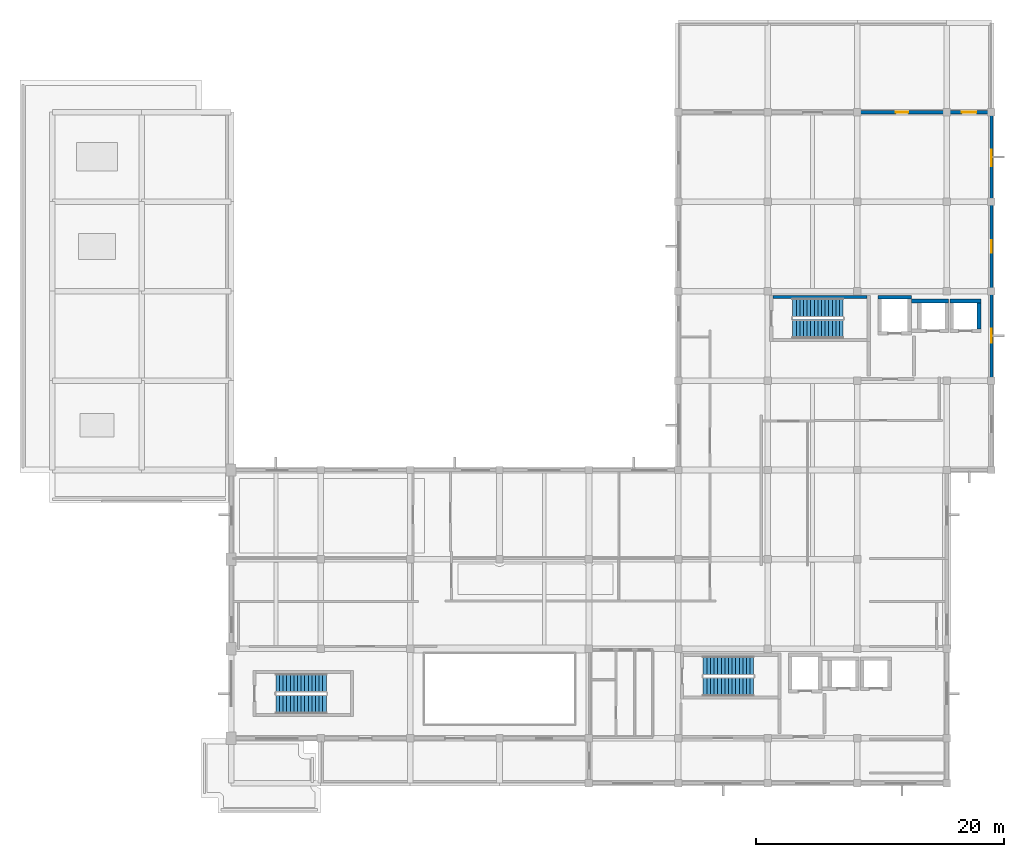
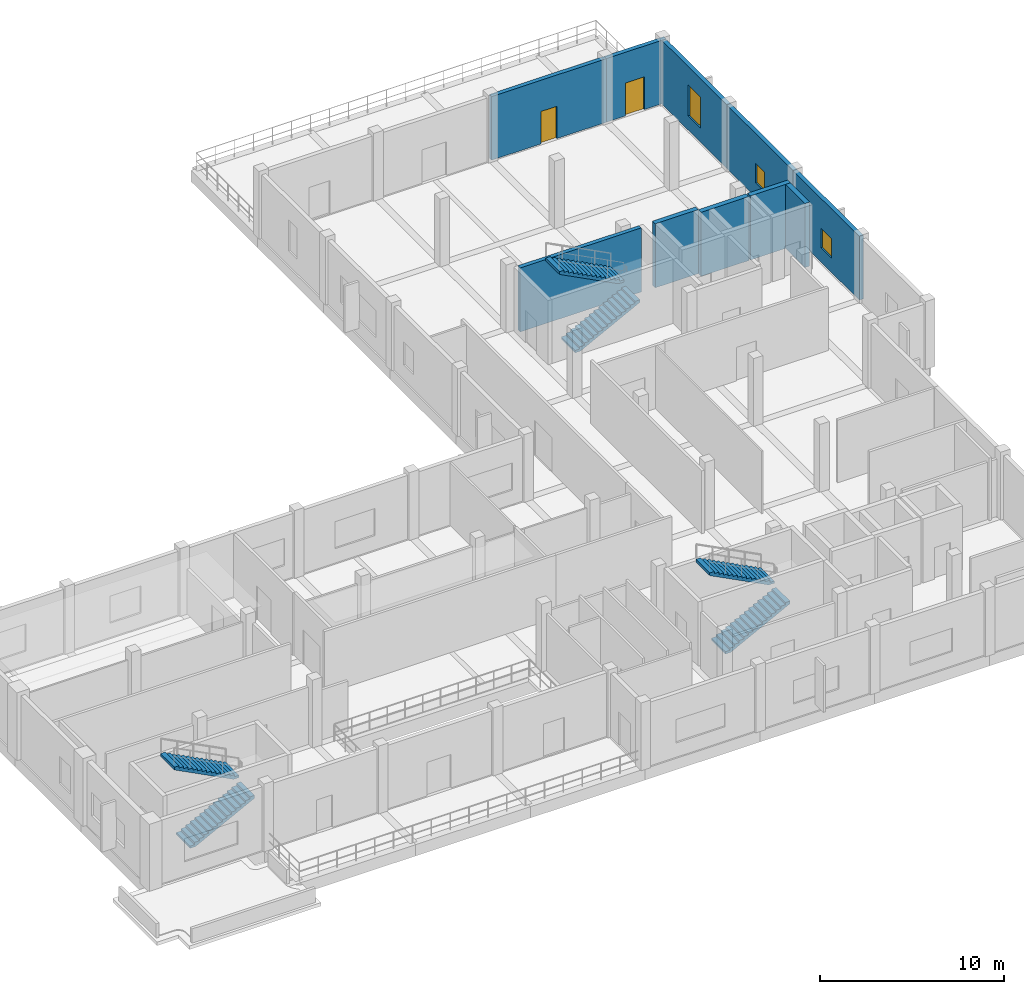
# One storey, part 8 of 14: 10 walls, 6 stair flights, 3 windows, 2 doors, 5 openings, 3 elements without a shape of their own.
"""IFC4 building model written with IfcOpenShell, lengths in metres."""

from ifc_helpers import new_model, si_unit, direction, frame, frame_2d, origin, place, context, subcontext, project, spatial, polyline, rectangle, outline, extrude, material, layer, layer_set, type_object, element, fill, aggregate, save


model = new_model("IFC4")

# Units and contexts
model_context = context("Model", 3, precision=1e-05, world=origin(), true_north=direction((0.0, 1.0)))
body_context = subcontext(model_context, "Body", "Model", "MODEL_VIEW")
ifc_project = project(units=[si_unit("LENGTHUNIT", "METRE"), si_unit("AREAUNIT", "SQUARE_METRE"), si_unit("VOLUMEUNIT", "CUBIC_METRE"), si_unit("PLANEANGLEUNIT", "RADIAN"), si_unit("MASSUNIT", "GRAM", prefix="KILO")], contexts=[model_context])

# Site, building, storey
site_placement = place(None, origin())
site = spatial("IfcSite", under=ifc_project, at=site_placement, CompositionType="ELEMENT")
building_placement = place(site_placement, origin())
building = spatial("IfcBuilding", under=site, at=building_placement, Name="Seraya Terrace Polytechnic", CompositionType="ELEMENT")
storey_placement = place(building_placement, frame((0.0, 0.0, 27.89990234375)))
storey = spatial("IfcBuildingStorey", under=building, at=storey_placement, Name="L06", CompositionType="ELEMENT", Elevation=27.89990234375)

# Wall, opening, door
ifc_material_1 = material(Name="Precast concrete C40/50", Category="concrete")
ifc_layer_1 = layer(ifc_material_1, 0.260009765625, Name="EW-03")
ifc_layer_set_1 = layer_set([ifc_layer_1], Name="Precast concrete C40/50")
wall_type_1 = type_object("IfcWallType", Name="EW-03", PredefinedType="SOLIDWALL", material=ifc_layer_set_1)
wall_1_placement = place(storey_placement, frame((93.60009765625, 57.60009765625, 0.0), z_axis=(0.0, 0.0, 1.0), x_axis=(1.0, 0.0, 0.0)))
wall_1 = element("IfcWall", 1, at=wall_1_placement, inside=storey, type_object=wall_type_1, Name="Exterior structural wall EW-03 L06", PredefinedType="SOLIDWALL", context=body_context, shape_type="SweptSolid", body=[
    extrude(rectangle(XDim=7.199951171875, YDim=0.260009765625, at=frame_2d((3.60009765625, 0.0))), origin(), (0.0, 0.0, 1.0), 4.22021484375),
])
opening_1_placement = place(wall_1_placement, frame((3.10009765625, 0.0, 0.0)))
opening_1 = element("IfcOpeningElement", 2, at=opening_1_placement, cuts=wall_1, Name="Opening TD-01", PredefinedType="OPENING", context=body_context, shape_type="SweptSolid", body=[
    extrude(rectangle(XDim=1.0, YDim=2.14990234375, at=frame_2d((0.5, 1.074951171875))), frame((0.0, 0.14208984375, 0.0), z_axis=(0.0, -1.0, 0.0), x_axis=(1.0, 0.0, 0.0)), (0.0, 0.0, 1.0), 0.283935546875),
])
ifc_material_2 = material(Name="Anodised aluminium EN AW-6063 T6", Category="aluminium")
door_type_1 = type_object("IfcDoorType", Name="TD-01", OperationType="NOTDEFINED", PredefinedType="DOOR", material=ifc_material_2)
door_1_placement = place(opening_1_placement, origin())
door_1 = element("IfcDoor", 3, at=door_1_placement, inside=storey, type_object=door_type_1, Name="Door TD-01 DR-TERR-L06-06-02 in WL-EXT-L06-06-02", OperationType="SINGLE_SWING_LEFT", OverallHeight=2.14990234375, OverallWidth=1.0, PredefinedType="DOOR", context=body_context, shape_type="SweptSolid", body=[
    extrude(rectangle(XDim=1.0, YDim=2.14990234375, at=frame_2d((0.5, 1.074951171875))), frame((0.0, 0.02490234375, 0.0), z_axis=(0.0, -1.0, 0.0), x_axis=(1.0, 0.0, 0.0)), (0.0, 0.0, 1.0), 0.050048828125),
])
fill(opening_1, door_1)

wall_2_placement = place(storey_placement, frame((100.800048828125, 57.60009765625, 0.0), z_axis=(0.0, 0.0, 1.0), x_axis=(1.0, 0.0, 0.0)))
wall_2 = element("IfcWall", 4, at=wall_2_placement, inside=storey, type_object=wall_type_1, Name="Exterior structural wall EW-03 L06", PredefinedType="SOLIDWALL", context=body_context, shape_type="SweptSolid", body=[
    extrude(rectangle(XDim=3.75, YDim=0.260009765625, at=frame_2d((1.875, 0.0))), origin(), (0.0, 0.0, 1.0), 4.22021484375),
])
opening_2_placement = place(wall_2_placement, frame((1.2099609375, 0.0, 0.0)))
opening_2 = element("IfcOpeningElement", 5, at=opening_2_placement, cuts=wall_2, Name="Opening TD-02", PredefinedType="OPENING", context=body_context, shape_type="SweptSolid", body=[
    extrude(rectangle(XDim=1.179931640625, YDim=2.179931640625, at=frame_2d((0.58984375, 1.08984375))), frame((0.0, 0.14208984375, 0.0), z_axis=(0.0, -1.0, 0.0), x_axis=(1.0, 0.0, 0.0)), (0.0, 0.0, 1.0), 0.283935546875),
])
door_type_2 = type_object("IfcDoorType", Name="TD-02", OperationType="NOTDEFINED", PredefinedType="DOOR", material=ifc_material_2)
door_2_placement = place(opening_2_placement, origin())
door_2 = element("IfcDoor", 6, at=door_2_placement, inside=storey, type_object=door_type_2, Name="Door TD-02 DR-TERR-L06-06-03 in WL-EXT-L06-06-03", OperationType="SINGLE_SWING_RIGHT", OverallHeight=2.179931640625, OverallWidth=1.179931640625, PredefinedType="DOOR", context=body_context, shape_type="SweptSolid", body=[
    extrude(rectangle(XDim=1.179931640625, YDim=2.179931640625, at=frame_2d((0.58984375, 1.08984375))), frame((0.0, 0.02490234375, 0.0), z_axis=(0.0, -1.0, 0.0), x_axis=(1.0, 0.0, 0.0)), (0.0, 0.0, 1.0), 0.050048828125),
])
fill(opening_2, door_2)

# Wall, opening, window
wall_3_placement = place(storey_placement, frame((104.39990234375, 57.447998046875, 0.0), z_axis=(0.0, 0.0, 1.0), x_axis=(0.0, -1.0, 0.0)))
wall_3 = element("IfcWall", 7, at=wall_3_placement, inside=storey, type_object=wall_type_1, Name="Exterior structural wall EW-03 L06", PredefinedType="SOLIDWALL", context=body_context, shape_type="SweptSolid", body=[
    extrude(rectangle(XDim=7.048095703125, YDim=0.260009765625, at=frame_2d((3.52392578125, 0.0))), origin(), (0.0, 0.0, 1.0), 4.22021484375),
])
opening_3_placement = place(wall_3_placement, frame((2.84912109375, 0.0, 0.949951171875)))
opening_3 = element("IfcOpeningElement", 8, at=opening_3_placement, cuts=wall_3, Name="Opening WN-38", PredefinedType="OPENING", context=body_context, shape_type="SweptSolid", body=[
    extrude(rectangle(XDim=1.35009765625, YDim=2.050048828125, at=frame_2d((0.675048828125, 1.02490234375))), frame((0.0, 0.14208984375, 0.0), z_axis=(0.0, -1.0, 0.0), x_axis=(1.0, 0.0, 0.0)), (0.0, 0.0, 1.0), 0.283935546875),
])
ifc_material_3 = material(Name="Laminated solar-control Low-E double glazing", Category="glass")
window_type_1 = type_object("IfcWindowType", Name="WN-38", PartitioningType="SINGLE_PANEL", PredefinedType="WINDOW", material=ifc_material_3)
window_1_placement = place(opening_3_placement, origin())
window_1 = element("IfcWindow", 9, at=window_1_placement, inside=storey, type_object=window_type_1, Name="Exterior window WN-38 L06", OverallHeight=2.050048828125, OverallWidth=1.35009765625, PartitioningType="SINGLE_PANEL", PredefinedType="WINDOW", context=body_context, shape_type="SweptSolid", body=[
    extrude(rectangle(XDim=1.35009765625, YDim=2.050048828125, at=frame_2d((0.675048828125, 1.02490234375))), frame((0.0, 0.030029296875, 0.0), z_axis=(0.0, -1.0, 0.0), x_axis=(1.0, 0.0, 0.0)), (0.0, 0.0, 1.0), 0.06005859375),
])
fill(opening_3, window_1)

wall_4_placement = place(storey_placement, frame((104.39990234375, 50.39990234375, 0.0), z_axis=(0.0, 0.0, 1.0), x_axis=(0.0, -1.0, 0.0)))
wall_4 = element("IfcWall", 10, at=wall_4_placement, inside=storey, type_object=wall_type_1, Name="Exterior structural wall EW-03 L06", PredefinedType="SOLIDWALL", context=body_context, shape_type="SweptSolid", body=[
    extrude(rectangle(XDim=7.199951171875, YDim=0.260009765625, at=frame_2d((3.60009765625, 0.0))), origin(), (0.0, 0.0, 1.0), 4.22021484375),
])
opening_4_placement = place(wall_4_placement, frame((3.10009765625, 0.0, 0.949951171875)))
opening_4 = element("IfcOpeningElement", 11, at=opening_4_placement, cuts=wall_4, Name="Opening WN-01", PredefinedType="OPENING", context=body_context, shape_type="SweptSolid", body=[
    extrude(rectangle(XDim=1.0, YDim=1.300048828125, at=frame_2d((0.5, 0.64990234375))), frame((0.0, 0.14208984375, 0.0), z_axis=(0.0, -1.0, 0.0), x_axis=(1.0, 0.0, 0.0)), (0.0, 0.0, 1.0), 0.283935546875),
])
window_type_2 = type_object("IfcWindowType", Name="WN-01", PartitioningType="SINGLE_PANEL", PredefinedType="WINDOW", material=ifc_material_3)
window_2_placement = place(opening_4_placement, origin())
window_2 = element("IfcWindow", 12, at=window_2_placement, inside=storey, type_object=window_type_2, Name="Exterior window WN-01 L06", OverallHeight=1.300048828125, OverallWidth=1.0, PartitioningType="SINGLE_PANEL", PredefinedType="WINDOW", context=body_context, shape_type="SweptSolid", body=[
    extrude(rectangle(XDim=1.0, YDim=1.300048828125, at=frame_2d((0.5, 0.64990234375))), frame((0.0, 0.030029296875, 0.0), z_axis=(0.0, -1.0, 0.0), x_axis=(1.0, 0.0, 0.0)), (0.0, 0.0, 1.0), 0.06005859375),
])
fill(opening_4, window_2)

wall_5_placement = place(storey_placement, frame((104.39990234375, 43.199951171875, 0.0), z_axis=(0.0, 0.0, 1.0), x_axis=(0.0, -1.0, 0.0)))
wall_5 = element("IfcWall", 13, at=wall_5_placement, inside=storey, type_object=wall_type_1, Name="Exterior structural wall EW-03 L06", PredefinedType="SOLIDWALL", context=body_context, shape_type="SweptSolid", body=[
    extrude(rectangle(XDim=7.199951171875, YDim=0.260009765625, at=frame_2d((3.60009765625, 0.0))), origin(), (0.0, 0.0, 1.0), 4.22021484375),
])
opening_5_placement = place(wall_5_placement, frame((3.02490234375, 0.0, 0.949951171875)))
opening_5 = element("IfcOpeningElement", 14, at=opening_5_placement, cuts=wall_5, Name="Opening WN-02", PredefinedType="OPENING", context=body_context, shape_type="SweptSolid", body=[
    extrude(rectangle(XDim=1.14990234375, YDim=1.300048828125, at=frame_2d((0.574951171875, 0.64990234375))), frame((0.0, 0.14208984375, 0.0), z_axis=(0.0, -1.0, 0.0), x_axis=(1.0, 0.0, 0.0)), (0.0, 0.0, 1.0), 0.283935546875),
])
window_type_3 = type_object("IfcWindowType", Name="WN-02", PartitioningType="SINGLE_PANEL", PredefinedType="WINDOW", material=ifc_material_3)
window_3_placement = place(opening_5_placement, origin())
window_3 = element("IfcWindow", 15, at=window_3_placement, inside=storey, type_object=window_type_3, Name="Exterior window WN-02 L06", OverallHeight=1.300048828125, OverallWidth=1.14990234375, PartitioningType="SINGLE_PANEL", PredefinedType="WINDOW", context=body_context, shape_type="SweptSolid", body=[
    extrude(rectangle(XDim=1.14990234375, YDim=1.300048828125, at=frame_2d((0.574951171875, 0.64990234375))), frame((0.0, 0.030029296875, 0.0), z_axis=(0.0, -1.0, 0.0), x_axis=(1.0, 0.0, 0.0)), (0.0, 0.0, 1.0), 0.06005859375),
])
fill(opening_5, window_3)

# Walls
ifc_material_4 = material(Name="Concrete C40/50", Category="concrete")
ifc_layer_2 = layer(ifc_material_4, 0.300048828125, Name="SW-01")
ifc_layer_set_2 = layer_set([ifc_layer_2], Name="Concrete C40/50")
wall_type_2 = type_object("IfcWallType", Name="SW-01", PredefinedType="SHEAR", material=ifc_layer_set_2)
wall_6_placement = place(storey_placement, frame((95.25, 42.699951171875, 0.0), z_axis=(0.0, 0.0, 1.0), x_axis=(1.0, 0.0, 0.0)))
element("IfcWall", 16, at=wall_6_placement, inside=storey, type_object=wall_type_2, Name="Lift shaft FL-02 North wall L06", PredefinedType="SHEAR", context=body_context, shape_type="SweptSolid", body=[
    extrude(rectangle(XDim=2.699951171875, YDim=0.300048828125, at=frame_2d((1.35009765625, 0.0))), origin(), (0.0, 0.0, 1.0), 4.25),
])
wall_7_placement = place(storey_placement, frame((97.949951171875, 42.39990234375, 0.0), z_axis=(0.0, 0.0, 1.0), x_axis=(1.0, 0.0, 0.0)))
element("IfcWall", 17, at=wall_7_placement, inside=storey, type_object=wall_type_2, Name="Lift shaft PL-03 North wall L06", PredefinedType="SHEAR", context=body_context, shape_type="SweptSolid", body=[
    extrude(rectangle(XDim=3.0, YDim=0.300048828125, at=frame_2d((1.5, 0.0))), origin(), (0.0, 0.0, 1.0), 4.25),
])
wall_8_placement = place(storey_placement, frame((101.050048828125, 42.39990234375, 0.0), z_axis=(0.0, 0.0, 1.0), x_axis=(1.0, 0.0, 0.0)))
element("IfcWall", 18, at=wall_8_placement, inside=storey, type_object=wall_type_2, Name="Lift shaft PL-04 North wall L06", PredefinedType="SHEAR", context=body_context, shape_type="SweptSolid", body=[
    extrude(rectangle(XDim=2.5, YDim=0.300048828125, at=frame_2d((1.25, 0.0))), origin(), (0.0, 0.0, 1.0), 4.25),
])
wall_9_placement = place(storey_placement, frame((103.39990234375, 40.14990234375, 0.0), z_axis=(0.0, 0.0, 1.0), x_axis=(0.0, 1.0, 0.0)))
element("IfcWall", 19, at=wall_9_placement, inside=storey, type_object=wall_type_2, Name="Lift shaft PL-04 East wall L06", PredefinedType="SHEAR", context=body_context, shape_type="SweptSolid", body=[
    extrude(rectangle(XDim=2.10009765625, YDim=0.300048828125, at=frame_2d((1.050048828125, 0.0))), origin(), (0.0, 0.0, 1.0), 4.25),
])
ifc_layer_3 = layer(ifc_material_4, 0.25, Name="SW-02")
ifc_layer_set_3 = layer_set([ifc_layer_3], Name="Concrete C40/50")
wall_type_3 = type_object("IfcWallType", Name="SW-02", PredefinedType="SHEAR", material=ifc_layer_set_3)
wall_10_placement = place(storey_placement, frame((86.800048828125, 42.72509765625, 0.0), z_axis=(0.0, 0.0, 1.0), x_axis=(1.0, 0.0, 0.0)))
element("IfcWall", 20, at=wall_10_placement, inside=storey, type_object=wall_type_3, Name="Stairwell ST-02 North wall L06", PredefinedType="SHEAR", context=body_context, shape_type="SweptSolid", body=[
    extrude(rectangle(XDim=7.599853515625, YDim=0.25, at=frame_2d((3.7998046875, 0.0))), origin(), (0.0, 0.0, 1.0), 4.25),
])

# Stair, stair flights
stair_type = type_object("IfcStairType", Name="ST-T2", PredefinedType="HALF_TURN_STAIR", material=ifc_material_4)
stair_1_placement = place(storey_placement, origin())
stair_1 = element("IfcStair", 21, at=stair_1_placement, inside=storey, type_object=stair_type, Name="L06 Protected exit stair ST-01", PredefinedType="HALF_TURN_STAIR")
stair_flight_type = type_object("IfcStairFlightType", Name="SF-02", PredefinedType="STRAIGHT", material=ifc_material_4)
stair_flight_1_placement = place(storey_placement, frame((81.199951171875, 11.35009765625, 0.0), z_axis=(0.0, 0.0, 1.0), x_axis=(1.0, 0.0, 0.0)))
stair_flight_1 = element("IfcStairFlight", 22, at=stair_flight_1_placement, type_object=stair_flight_type, Name="ST-01 flight 1", NumberOfRisers=15, NumberOfTreads=14, PredefinedType="STRAIGHT", RiserHeight=0.15, TreadLength=0.29, context=body_context, shape_type="SweptSolid", body=[
    extrude(outline(polyline([(0.0, 0.0), (0.0, 0.14990234375), (0.2900390625, 0.14990234375), (0.2900390625, 0.300048828125), (0.580078125, 0.300048828125), (0.580078125, 0.449951171875), (0.8701171875, 0.449951171875), (0.8701171875, 0.60009765625), (1.159912109375, 0.60009765625), (1.159912109375, 0.75), (1.449951171875, 0.75), (1.449951171875, 0.89990234375), (1.739990234375, 0.89990234375), (1.739990234375, 1.050048828125), (2.030029296875, 1.050048828125), (2.030029296875, 1.199951171875), (2.320068359375, 1.199951171875), (2.320068359375, 1.35009765625), (2.610107421875, 1.35009765625), (2.610107421875, 1.5), (2.89990234375, 1.5), (2.89990234375, 1.64990234375), (3.18994140625, 1.64990234375), (3.18994140625, 1.800048828125), (3.47998046875, 1.800048828125), (3.47998046875, 1.949951171875), (3.77001953125, 1.949951171875), (3.77001953125, 2.10009765625), (4.06005859375, 2.10009765625), (4.06005859375, 2.25), (4.06005859375, 1.919921875), (0.34814453125, 0.0), (0.0, 0.0)])), frame((0.0, 0.75, 0.0), z_axis=(0.0, -1.0, 0.0), x_axis=(1.0, 0.0, 0.0)), (0.0, 0.0, 1.0), 1.5),
])
stair_flight_2_placement = place(storey_placement, frame((85.260009765625, 13.050048828125, 2.25), z_axis=(0.0, 0.0, 1.0), x_axis=(-1.0, 0.0, 0.0)))
stair_flight_2 = element("IfcStairFlight", 23, at=stair_flight_2_placement, type_object=stair_flight_type, Name="ST-01 flight 2", NumberOfRisers=15, NumberOfTreads=14, PredefinedType="STRAIGHT", RiserHeight=0.15, TreadLength=0.29, context=body_context, shape_type="SweptSolid", body=[
    extrude(outline(polyline([(0.0, 0.0), (0.0, 0.14990234375), (0.2900390625, 0.14990234375), (0.2900390625, 0.300048828125), (0.580078125, 0.300048828125), (0.580078125, 0.449951171875), (0.8701171875, 0.449951171875), (0.8701171875, 0.60009765625), (1.159912109375, 0.60009765625), (1.159912109375, 0.75), (1.449951171875, 0.75), (1.449951171875, 0.89990234375), (1.739990234375, 0.89990234375), (1.739990234375, 1.050048828125), (2.030029296875, 1.050048828125), (2.030029296875, 1.199951171875), (2.320068359375, 1.199951171875), (2.320068359375, 1.35009765625), (2.610107421875, 1.35009765625), (2.610107421875, 1.5), (2.89990234375, 1.5), (2.89990234375, 1.64990234375), (3.18994140625, 1.64990234375), (3.18994140625, 1.800048828125), (3.47998046875, 1.800048828125), (3.47998046875, 1.949951171875), (3.77001953125, 1.949951171875), (3.77001953125, 2.10009765625), (4.06005859375, 2.10009765625), (4.06005859375, 2.25), (4.06005859375, 1.919921875), (0.34814453125, 0.0), (0.0, 0.0)])), frame((0.0, 0.75, 0.0), z_axis=(0.0, -1.0, 0.0), x_axis=(1.0, 0.0, 0.0)), (0.0, 0.0, 1.0), 1.5),
])
aggregate(stair_1, [stair_flight_1, stair_flight_2])

stair_2_placement = place(storey_placement, origin())
stair_2 = element("IfcStair", 24, at=stair_2_placement, inside=storey, type_object=stair_type, Name="L06 Protected exit stair ST-02", PredefinedType="HALF_TURN_STAIR")
stair_flight_3_placement = place(storey_placement, frame((88.39990234375, 40.14990234375, 0.0), z_axis=(0.0, 0.0, 1.0), x_axis=(1.0, 0.0, 0.0)))
stair_flight_3 = element("IfcStairFlight", 25, at=stair_flight_3_placement, type_object=stair_flight_type, Name="ST-02 flight 1", NumberOfRisers=15, NumberOfTreads=14, PredefinedType="STRAIGHT", RiserHeight=0.15, TreadLength=0.29, context=body_context, shape_type="SweptSolid", body=[
    extrude(outline(polyline([(0.0, 0.0), (0.0, 0.14990234375), (0.2900390625, 0.14990234375), (0.2900390625, 0.300048828125), (0.580078125, 0.300048828125), (0.580078125, 0.449951171875), (0.8701171875, 0.449951171875), (0.8701171875, 0.60009765625), (1.159912109375, 0.60009765625), (1.159912109375, 0.75), (1.449951171875, 0.75), (1.449951171875, 0.89990234375), (1.739990234375, 0.89990234375), (1.739990234375, 1.050048828125), (2.030029296875, 1.050048828125), (2.030029296875, 1.199951171875), (2.320068359375, 1.199951171875), (2.320068359375, 1.35009765625), (2.610107421875, 1.35009765625), (2.610107421875, 1.5), (2.89990234375, 1.5), (2.89990234375, 1.64990234375), (3.18994140625, 1.64990234375), (3.18994140625, 1.800048828125), (3.47998046875, 1.800048828125), (3.47998046875, 1.949951171875), (3.77001953125, 1.949951171875), (3.77001953125, 2.10009765625), (4.06005859375, 2.10009765625), (4.06005859375, 2.25), (4.06005859375, 1.919921875), (0.34814453125, 0.0), (0.0, 0.0)])), frame((0.0, 0.75, 0.0), z_axis=(0.0, -1.0, 0.0), x_axis=(1.0, 0.0, 0.0)), (0.0, 0.0, 1.0), 1.5),
])
stair_flight_4_placement = place(storey_placement, frame((92.4599609375, 41.85009765625, 2.25), z_axis=(0.0, 0.0, 1.0), x_axis=(-1.0, 0.0, 0.0)))
stair_flight_4 = element("IfcStairFlight", 26, at=stair_flight_4_placement, type_object=stair_flight_type, Name="ST-02 flight 2", NumberOfRisers=15, NumberOfTreads=14, PredefinedType="STRAIGHT", RiserHeight=0.15, TreadLength=0.29, context=body_context, shape_type="SweptSolid", body=[
    extrude(outline(polyline([(0.0, 0.0), (0.0, 0.14990234375), (0.2900390625, 0.14990234375), (0.2900390625, 0.300048828125), (0.580078125, 0.300048828125), (0.580078125, 0.449951171875), (0.8701171875, 0.449951171875), (0.8701171875, 0.60009765625), (1.159912109375, 0.60009765625), (1.159912109375, 0.75), (1.449951171875, 0.75), (1.449951171875, 0.89990234375), (1.739990234375, 0.89990234375), (1.739990234375, 1.050048828125), (2.030029296875, 1.050048828125), (2.030029296875, 1.199951171875), (2.320068359375, 1.199951171875), (2.320068359375, 1.35009765625), (2.610107421875, 1.35009765625), (2.610107421875, 1.5), (2.89990234375, 1.5), (2.89990234375, 1.64990234375), (3.18994140625, 1.64990234375), (3.18994140625, 1.800048828125), (3.47998046875, 1.800048828125), (3.47998046875, 1.949951171875), (3.77001953125, 1.949951171875), (3.77001953125, 2.10009765625), (4.06005859375, 2.10009765625), (4.06005859375, 2.25), (4.06005859375, 1.919921875), (0.34814453125, 0.0), (0.0, 0.0)])), frame((0.0, 0.75, 0.0), z_axis=(0.0, -1.0, 0.0), x_axis=(1.0, 0.0, 0.0)), (0.0, 0.0, 1.0), 1.5),
])
aggregate(stair_2, [stair_flight_3, stair_flight_4])

stair_3_placement = place(storey_placement, origin())
stair_3 = element("IfcStair", 27, at=stair_3_placement, inside=storey, type_object=stair_type, Name="L06 Protected exit stair ST-03", PredefinedType="HALF_TURN_STAIR")
stair_flight_5_placement = place(storey_placement, frame((46.800048828125, 9.949951171875, 0.0), z_axis=(0.0, 0.0, 1.0), x_axis=(1.0, 0.0, 0.0)))
stair_flight_5 = element("IfcStairFlight", 28, at=stair_flight_5_placement, type_object=stair_flight_type, Name="ST-03 flight 1", NumberOfRisers=15, NumberOfTreads=14, PredefinedType="STRAIGHT", RiserHeight=0.15, TreadLength=0.29, context=body_context, shape_type="SweptSolid", body=[
    extrude(outline(polyline([(0.0, 0.0), (0.0, 0.14990234375), (0.2900390625, 0.14990234375), (0.2900390625, 0.300048828125), (0.580078125, 0.300048828125), (0.580078125, 0.449951171875), (0.8701171875, 0.449951171875), (0.8701171875, 0.60009765625), (1.159912109375, 0.60009765625), (1.159912109375, 0.75), (1.449951171875, 0.75), (1.449951171875, 0.89990234375), (1.739990234375, 0.89990234375), (1.739990234375, 1.050048828125), (2.030029296875, 1.050048828125), (2.030029296875, 1.199951171875), (2.320068359375, 1.199951171875), (2.320068359375, 1.35009765625), (2.610107421875, 1.35009765625), (2.610107421875, 1.5), (2.89990234375, 1.5), (2.89990234375, 1.64990234375), (3.18994140625, 1.64990234375), (3.18994140625, 1.800048828125), (3.47998046875, 1.800048828125), (3.47998046875, 1.949951171875), (3.77001953125, 1.949951171875), (3.77001953125, 2.10009765625), (4.06005859375, 2.10009765625), (4.06005859375, 2.25), (4.06005859375, 1.919921875), (0.34814453125, 0.0), (0.0, 0.0)])), frame((0.0, 0.75, 0.0), z_axis=(0.0, -1.0, 0.0), x_axis=(1.0, 0.0, 0.0)), (0.0, 0.0, 1.0), 1.5),
])
stair_flight_6_placement = place(storey_placement, frame((50.860107421875, 11.64990234375, 2.25), z_axis=(0.0, 0.0, 1.0), x_axis=(-1.0, 0.0, 0.0)))
stair_flight_6 = element("IfcStairFlight", 29, at=stair_flight_6_placement, type_object=stair_flight_type, Name="ST-03 flight 2", NumberOfRisers=15, NumberOfTreads=14, PredefinedType="STRAIGHT", RiserHeight=0.15, TreadLength=0.29, context=body_context, shape_type="SweptSolid", body=[
    extrude(outline(polyline([(0.0, 0.0), (0.0, 0.14990234375), (0.2900390625, 0.14990234375), (0.2900390625, 0.300048828125), (0.580078125, 0.300048828125), (0.580078125, 0.449951171875), (0.8701171875, 0.449951171875), (0.8701171875, 0.60009765625), (1.159912109375, 0.60009765625), (1.159912109375, 0.75), (1.449951171875, 0.75), (1.449951171875, 0.89990234375), (1.739990234375, 0.89990234375), (1.739990234375, 1.050048828125), (2.030029296875, 1.050048828125), (2.030029296875, 1.199951171875), (2.320068359375, 1.199951171875), (2.320068359375, 1.35009765625), (2.610107421875, 1.35009765625), (2.610107421875, 1.5), (2.89990234375, 1.5), (2.89990234375, 1.64990234375), (3.18994140625, 1.64990234375), (3.18994140625, 1.800048828125), (3.47998046875, 1.800048828125), (3.47998046875, 1.949951171875), (3.77001953125, 1.949951171875), (3.77001953125, 2.10009765625), (4.06005859375, 2.10009765625), (4.06005859375, 2.25), (4.06005859375, 1.919921875), (0.34814453125, 0.0), (0.0, 0.0)])), frame((0.0, 0.75, 0.0), z_axis=(0.0, -1.0, 0.0), x_axis=(1.0, 0.0, 0.0)), (0.0, 0.0, 1.0), 1.5),
])
aggregate(stair_3, [stair_flight_5, stair_flight_6])

save(model, "model.ifc")
